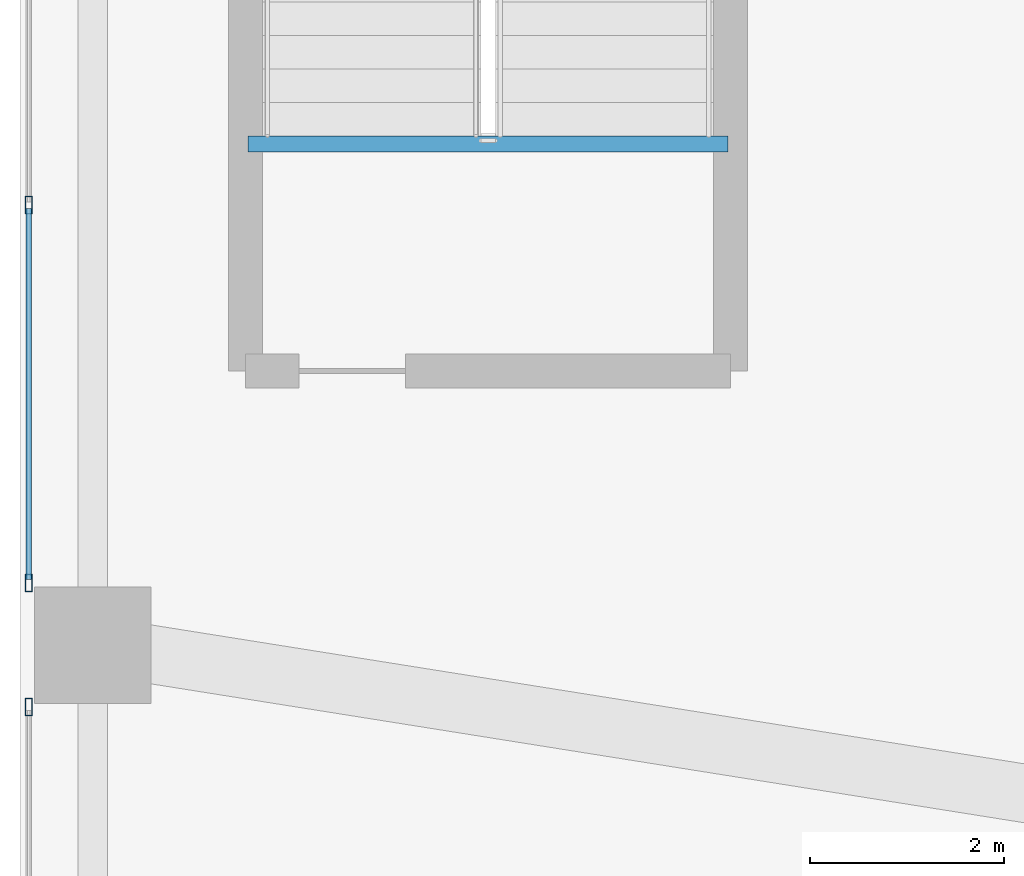
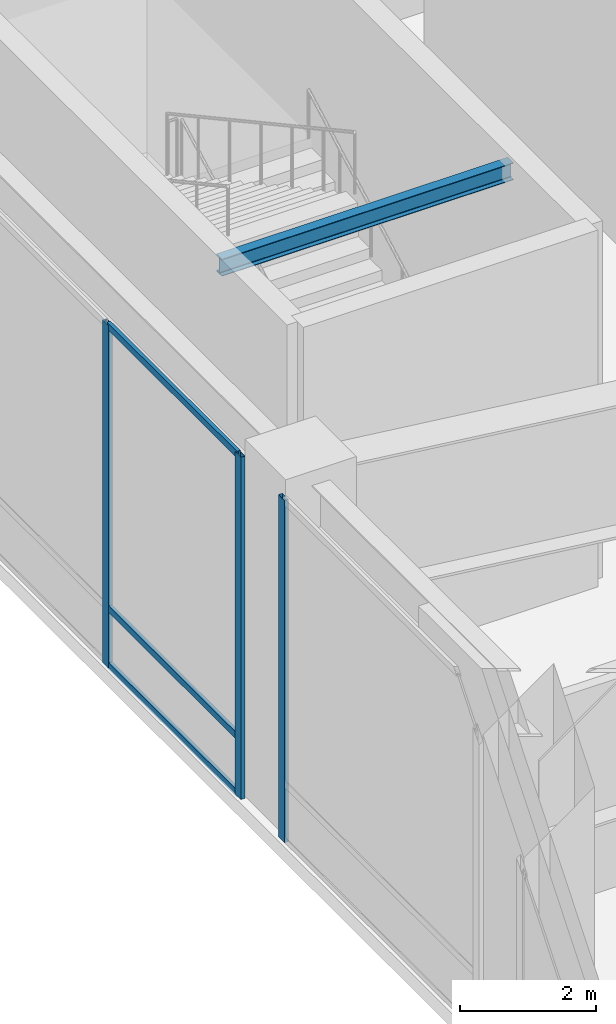
# One storey, part 28 of 50: 6 members, 1 beam, 2 elements without a shape of their own.
"""IFC4 building model written with IfcOpenShell, lengths in metres."""

from ifc_helpers import new_model, si_unit, direction, frame, origin, origin_2d, place, context, subcontext, project, spatial, hollow_rectangle, i_section, extrude, source, transform, mapped, material, layer, layer_set, material_profile, profile_set, type_object, type_shapes, element, aggregate, save


model = new_model("IFC4")

# Units and contexts
model_context = context("Model", 3, precision=1e-05, world=origin(), true_north=direction((0.0, 1.0)))
body_context = subcontext(model_context, "Body", "Model", "MODEL_VIEW")
ifc_project = project(units=[si_unit("LENGTHUNIT", "METRE"), si_unit("AREAUNIT", "SQUARE_METRE"), si_unit("VOLUMEUNIT", "CUBIC_METRE"), si_unit("PLANEANGLEUNIT", "RADIAN"), si_unit("MASSUNIT", "GRAM", prefix="KILO")], contexts=[model_context])

# Site, building, storey
site_placement = place(None, origin())
site = spatial("IfcSite", under=ifc_project, at=site_placement, CompositionType="ELEMENT")
building_placement = place(site_placement, origin())
building = spatial("IfcBuilding", under=site, at=building_placement, Name="Tolvann Quenvar Hotel", CompositionType="ELEMENT")
storey_placement = place(building_placement, frame((0.0, 0.0, 16.0)))
storey = spatial("IfcBuildingStorey", under=building, at=storey_placement, Name="L03", CompositionType="ELEMENT", Elevation=16.0)

# Beam
ifc_material_1 = material(Name="Steel Grade 350", Category="steel")
ifc_material_profile_1 = material_profile(ifc_material_1, i_section(OverallWidth=0.166015625, OverallDepth=0.306884765625, WebThickness=0.006591796875, FlangeThickness=0.01171875, FilletRadius=0.011474609375, at=origin_2d()), Name="310UB46")
ifc_profile_set_1 = profile_set([ifc_material_profile_1], Name="Steel Grade 350")
beam_type = type_object("IfcBeamType", Name="BM_JOIST_310UB46", PredefinedType="JOIST", material=ifc_profile_set_1)
shared_shape_1 = source(origin(), body_context, "Body", "SweptSolid", [
    extrude(i_section(OverallWidth=0.166015625, OverallDepth=0.306884765625, WebThickness=0.006591796875, FlangeThickness=0.01171875, FilletRadius=0.011474609375, at=origin_2d()), origin(), (0.0, 0.0, 1.0), 4.949951171875),
])
type_shapes(beam_type, [shared_shape_1])
beam_placement = place(storey_placement, frame((-6.050048828125, 36.56494140625, 5.986572265625), z_axis=(1.0, 0.0, 0.0), x_axis=(0.0, 1.0, 0.0)))
element("IfcBeam", 1, at=beam_placement, inside=storey, type_object=beam_type, Name="BM-HDR-ST-P1-L04", PredefinedType="JOIST", context=body_context, shape_type="MappedRepresentation", body=[
    mapped(shared_shape_1, transform((0.0, 0.0, 0.0), x_axis=(1.0, 0.0, 0.0), y_axis=(0.0, 1.0, 0.0), z_axis=(0.0, 0.0, 1.0), scale=1.0)),
])

# Curtain wall, members
ifc_material_2 = material(Name="Thermally broken anodised architectural aluminium 6063-T6 and laminated low-E glass", Category="aluminium")
ifc_layer = layer(ifc_material_2, 0.179931640625)
ifc_layer_set = layer_set([ifc_layer], Name="Thermally broken anodised architectural aluminium 6063-T6 and laminated low-E glass")
curtain_wall_type = type_object("IfcCurtainWallType", Name="CW_SYS_BALL_02", PredefinedType="USERDEFINED", material=ifc_layer_set)
curtain_wall_1_placement = place(storey_placement, origin())
curtain_wall_1 = element("IfcCurtainWall", 2, at=curtain_wall_1_placement, inside=storey, type_object=curtain_wall_type, Name="Curtain Wall CW-BALL-02 (CWR-L03-E07-S2)", ObjectType="UNITISED CURTAIN WALL", PredefinedType="USERDEFINED")
ifc_material_3 = material(Name="Anodised architectural aluminium 6063-T6 framing", Category="aluminium")
ifc_material_profile_2 = material_profile(ifc_material_3, hollow_rectangle(XDim=0.070068359375, YDim=0.179931640625, WallThickness=0.00390625, at=origin_2d()), Name="180x70x4RHS")
ifc_profile_set_2 = profile_set([ifc_material_profile_2], Name="Anodised architectural aluminium 6063-T6 framing")
member_type_1 = type_object("IfcMemberType", Name="CW_MULL_180x70", PredefinedType="MULLION", material=ifc_profile_set_2)
shared_shape_2 = source(origin(), body_context, "Body", "SweptSolid", [
    extrude(hollow_rectangle(XDim=0.070068359375, YDim=0.179931640625, WallThickness=0.00390625, at=origin_2d()), origin(), (0.0, 0.0, 1.0), 6.139892578125),
])
type_shapes(member_type_1, [shared_shape_2])
member_1_placement = place(storey_placement, frame((-8.31005859375, 35.9345703125, 0.0), z_axis=(0.0, 0.0, 1.0), x_axis=(1.0, 0.0, 0.0)))
member_1 = element("IfcMember", 3, at=member_1_placement, type_object=member_type_1, Name="CW-BALL-02 mullion 3", PredefinedType="MULLION", context=body_context, shape_type="MappedRepresentation", body=[
    mapped(shared_shape_2, transform((0.0, 0.0, 0.0), x_axis=(1.0, 0.0, 0.0), y_axis=(0.0, 1.0, 0.0), z_axis=(0.0, 0.0, 1.0), scale=1.0)),
])
member_2_placement = place(storey_placement, frame((-8.31005859375, 32.0390625, 0.0), z_axis=(0.0, 0.0, 1.0), x_axis=(1.0, 0.0, 0.0)))
member_2 = element("IfcMember", 4, at=member_2_placement, type_object=member_type_1, Name="CW-BALL-02 mullion 4", PredefinedType="MULLION", context=body_context, shape_type="MappedRepresentation", body=[
    mapped(shared_shape_2, transform((0.0, 0.0, 0.0), x_axis=(1.0, 0.0, 0.0), y_axis=(0.0, 1.0, 0.0), z_axis=(0.0, 0.0, 1.0), scale=1.0)),
])

# Curtain wall, member
curtain_wall_2_placement = place(storey_placement, origin())
curtain_wall_2 = element("IfcCurtainWall", 5, at=curtain_wall_2_placement, inside=storey, type_object=curtain_wall_type, Name="Curtain Wall CW-BALL-02 (CWR-L03-E07-S3)", ObjectType="UNITISED CURTAIN WALL", PredefinedType="USERDEFINED")
member_3_placement = place(storey_placement, frame((-8.31005859375, 30.760986328125, 0.0), z_axis=(0.0, 0.0, 1.0), x_axis=(1.0, 0.0, 0.0)))
member_3 = element("IfcMember", 6, at=member_3_placement, type_object=member_type_1, Name="CW-BALL-02 mullion 1", PredefinedType="MULLION", context=body_context, shape_type="MappedRepresentation", body=[
    mapped(shared_shape_2, transform((0.0, 0.0, 0.0), x_axis=(1.0, 0.0, 0.0), y_axis=(0.0, 1.0, 0.0), z_axis=(0.0, 0.0, 1.0), scale=1.0)),
])
aggregate(curtain_wall_2, [member_3])

# Member
ifc_material_profile_3 = material_profile(ifc_material_3, hollow_rectangle(XDim=0.06005859375, YDim=0.1201171875, WallThickness=0.00341796875, at=origin_2d()), Name="120x60x3.5RHS")
ifc_profile_set_3 = profile_set([ifc_material_profile_3], Name="Anodised architectural aluminium 6063-T6 framing")
member_type_2 = type_object("IfcMemberType", Name="CW_TRAN_120x60", PredefinedType="USERDEFINED", material=ifc_profile_set_3)
shared_shape_3 = source(origin(), body_context, "Body", "SweptSolid", [
    extrude(hollow_rectangle(XDim=0.06005859375, YDim=0.1201171875, WallThickness=0.00341796875, at=origin_2d()), origin(), (0.0, 0.0, 1.0), 3.82568359375),
])
type_shapes(member_type_2, [shared_shape_3])
member_4_placement = place(storey_placement, frame((-8.31005859375, 35.899658203125, 0.030029296875), z_axis=(0.0, -1.0, 0.0), x_axis=(1.0, 0.0, 0.0)))
member_4 = element("IfcMember", 7, at=member_4_placement, type_object=member_type_2, Name="CW-BALL-02 transom 3.1", ObjectType="TRANSOM", PredefinedType="USERDEFINED", context=body_context, shape_type="MappedRepresentation", body=[
    mapped(shared_shape_3, transform((0.0, 0.0, 0.0), x_axis=(1.0, 0.0, 0.0), y_axis=(0.0, 1.0, 0.0), z_axis=(0.0, 0.0, 1.0), scale=1.0)),
])

member_5_placement = place(storey_placement, frame((-8.31005859375, 35.899658203125, 1.050048828125), z_axis=(0.0, -1.0, 0.0), x_axis=(1.0, 0.0, 0.0)))
member_5 = element("IfcMember", 8, at=member_5_placement, type_object=member_type_2, Name="CW-BALL-02 transom 3.2", ObjectType="TRANSOM", PredefinedType="USERDEFINED", context=body_context, shape_type="MappedRepresentation", body=[
    mapped(shared_shape_3, transform((0.0, 0.0, 0.0), x_axis=(1.0, 0.0, 0.0), y_axis=(0.0, 1.0, 0.0), z_axis=(0.0, 0.0, 1.0), scale=1.0)),
])

member_6_placement = place(storey_placement, frame((-8.31005859375, 35.899658203125, 6.110107421875), z_axis=(0.0, -1.0, 0.0), x_axis=(1.0, 0.0, 0.0)))
member_6 = element("IfcMember", 9, at=member_6_placement, type_object=member_type_2, Name="CW-BALL-02 transom 3.3", ObjectType="TRANSOM", PredefinedType="USERDEFINED", context=body_context, shape_type="MappedRepresentation", body=[
    mapped(shared_shape_3, transform((0.0, 0.0, 0.0), x_axis=(1.0, 0.0, 0.0), y_axis=(0.0, 1.0, 0.0), z_axis=(0.0, 0.0, 1.0), scale=1.0)),
])

aggregate(curtain_wall_1, [member_1, member_2, member_4, member_5, member_6])

save(model, "model.ifc")
